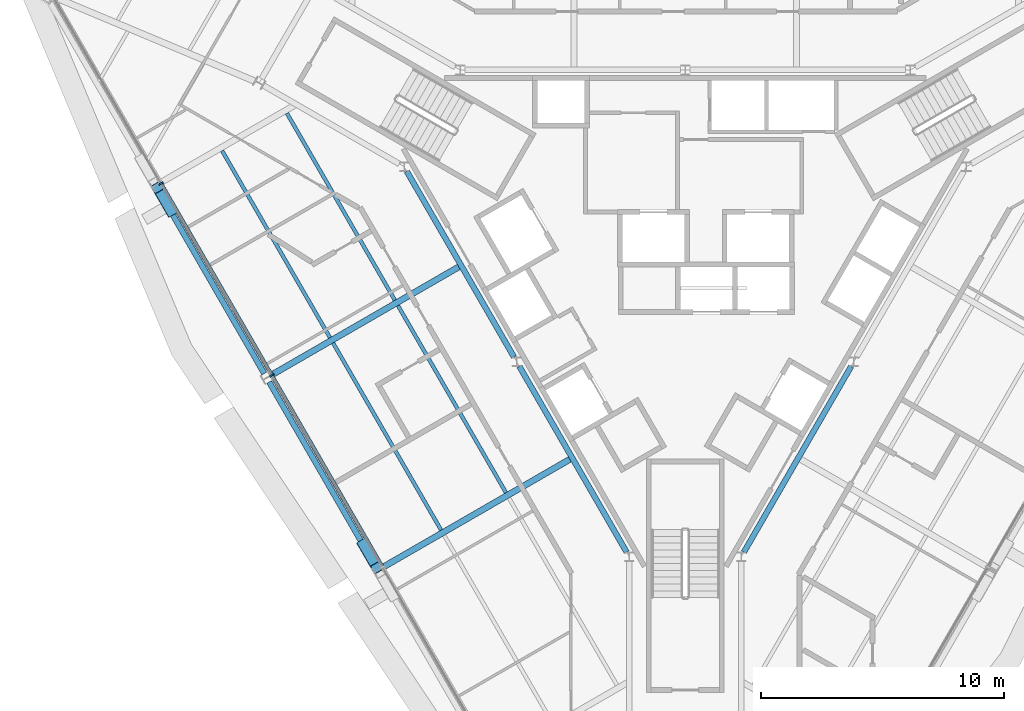
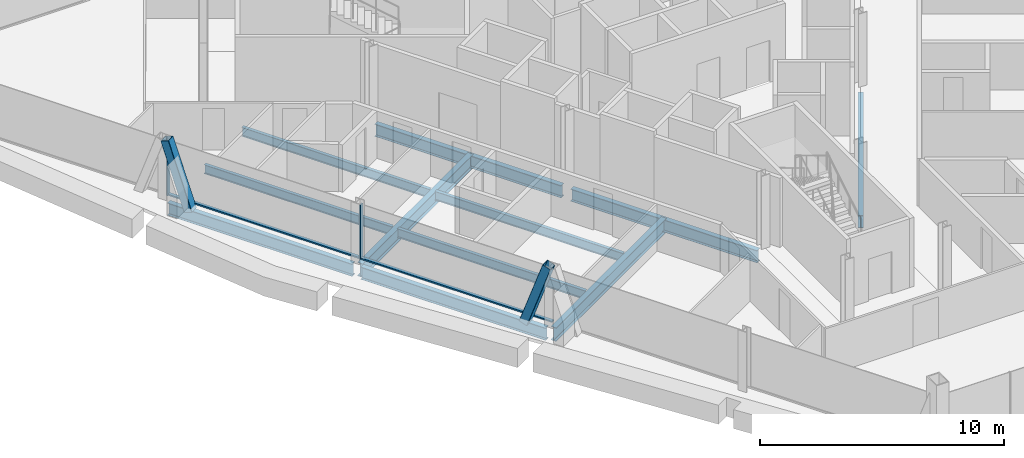
# One storey, part 4 of 15: 11 beams, 6 members, 1 element without a shape of its own.
"""IFC4 building model written with IfcOpenShell, lengths in metres."""

from ifc_helpers import new_model, si_unit, direction, frame, origin, origin_2d, place, context, subcontext, project, spatial, rectangle, hollow_rectangle, i_section, extrude, material, material_profile, profile_set, type_object, element, aggregate, save


model = new_model("IFC4")

# Units and contexts
model_context = context("Model", 3, precision=1e-05, world=origin(), true_north=direction((0.0, 1.0)))
body_context = subcontext(model_context, "Body", "Model", "MODEL_VIEW")
ifc_project = project(units=[si_unit("LENGTHUNIT", "METRE"), si_unit("AREAUNIT", "SQUARE_METRE"), si_unit("VOLUMEUNIT", "CUBIC_METRE"), si_unit("PLANEANGLEUNIT", "RADIAN"), si_unit("MASSUNIT", "GRAM", prefix="KILO")], contexts=[model_context])

# Site, building, storey
site_placement = place(None, origin())
site = spatial("IfcSite", under=ifc_project, at=site_placement, CompositionType="ELEMENT")
building_placement = place(site_placement, origin())
building = spatial("IfcBuilding", under=site, at=building_placement, Name="Verrane Prism Tower", CompositionType="ELEMENT")
storey_placement = place(building_placement, frame((0.0, 0.0, 254.5)))
storey = spatial("IfcBuildingStorey", under=building, at=storey_placement, Name="L64", CompositionType="ELEMENT", Elevation=254.5)

# Beams
ifc_material_1 = material(Name="Steel A992", Category="steel")
ifc_material_profile_1 = material_profile(ifc_material_1, i_section(OverallWidth=0.23046875, OverallDepth=0.6171875, WebThickness=0.01318359375, FlangeThickness=0.022216796875, FilletRadius=0.012939453125, at=origin_2d()), Name="W24x94")
ifc_profile_set_1 = profile_set([ifc_material_profile_1], Name="Steel A992")
beam_type_1 = type_object("IfcBeamType", Name="Core ring girder W24x94", PredefinedType="BEAM", material=ifc_profile_set_1)
beam_1_placement = place(storey_placement, frame((-11.448486328125, 3.826904296875, -0.55859375), z_axis=(0.499967007444, -0.866044451208, 0.0), x_axis=(0.866044451208, 0.499967007444, 0.0)))
element("IfcBeam", 1, at=beam_1_placement, inside=storey, type_object=beam_type_1, Name="Core ring girder L64", PredefinedType="BEAM", context=body_context, shape_type="SweptSolid", body=[
    extrude(i_section(OverallWidth=0.23046875, OverallDepth=0.6171875, WebThickness=0.01318359375, FlangeThickness=0.022216796875, FilletRadius=0.012939453125, at=origin_2d()), origin(), (0.0, 0.0, 1.0), 8.814453125),
])
for number, where, z_axis, x_axis, name in (
    (2, (-6.818603515625, -4.193115234375, -0.55859375), (0.499987781028, -0.866032458297, 0.0), (0.866032458297, 0.499987781028, 0.0), "Core ring girder L64"),
    (3, (2.411376953125, -11.826904296875, -0.55859375), (0.499987781028, 0.866032458297, 0.0), (-0.866032458297, 0.499987781028, 0.0), "Core ring girder L64"),
):
    element("IfcBeam", number, at=place(storey_placement, frame(where, z_axis=z_axis, x_axis=x_axis)), inside=storey, type_object=beam_type_1, Name=name, PredefinedType="BEAM", context=body_context, shape_type="SweptSolid", body=[
        extrude(i_section(OverallWidth=0.23046875, OverallDepth=0.6171875, WebThickness=0.01318359375, FlangeThickness=0.022216796875, FilletRadius=0.012939453125, at=origin_2d()), origin(), (0.0, 0.0, 1.0), 8.814697265625),
    ])

# Members
ifc_material_2 = material(Name="Steel A500 Grade C", Category="steel")
ifc_material_profile_2 = material_profile(ifc_material_2, hollow_rectangle(XDim=0.406494140625, YDim=0.406494140625, WallThickness=0.01904296875, InnerFilletRadius=0.009521484375, OuterFilletRadius=0.028564453125, at=origin_2d()), Name="HSS16x16x3/4")
ifc_profile_set_2 = profile_set([ifc_material_profile_2], Name="Steel A500 Grade C")
member_type_1 = type_object("IfcMemberType", Name="Facade brace HSS16x16x3/4", PredefinedType="BRACE", material=ifc_profile_set_2)
for number, where, z_axis, x_axis, name in (
    (4, (-21.16259765625, 2.1962890625, -0.216796875), (-0.164951648467, 0.285278696383, 0.944143537317), (-0.865702085619, -0.500559585819, 0.0), "Facade brace SW1 L64"),
    (5, (-13.248779296875, -11.51611328125, -0.216796875), (0.165173287668, -0.285068810076, 0.94416818341), (0.865250597391, 0.501339609162, 0.0), "Facade brace SW2 L64"),
):
    element("IfcMember", number, at=place(storey_placement, frame(where, z_axis=z_axis, x_axis=x_axis)), inside=storey, type_object=member_type_1, Name=name, PredefinedType="BRACE", context=body_context, shape_type="SweptSolid", body=[
        extrude(hollow_rectangle(XDim=0.406494140625, YDim=0.406494140625, WallThickness=0.01904296875, InnerFilletRadius=0.009521484375, OuterFilletRadius=0.028564453125, at=origin_2d()), origin(), (0.0, 0.0, 1.0), 3.3701171875),
    ])

# Beams
ifc_material_3 = material(Name="Steel A992", Category="steel")
ifc_material_profile_3 = material_profile(ifc_material_3, i_section(OverallWidth=0.15234375, OverallDepth=0.449462890625, WebThickness=0.007568359375, FlangeThickness=0.0107421875, FilletRadius=0.01025390625, at=origin_2d()), Name="W18x35")
ifc_profile_set_3 = profile_set([ifc_material_profile_3], Name="Steel A992")
beam_type_2 = type_object("IfcBeamType", Name="Floor beam W18x35", PredefinedType="BEAM", material=ifc_profile_set_3)
beam_2_placement = place(storey_placement, frame((-11.940185546875, -1.469970703125, -0.384765625), z_axis=(-0.500000279077, 0.866025242659, 0.0), x_axis=(-0.866025242659, -0.500000279077, 0.0)))
element("IfcBeam", 6, at=beam_2_placement, inside=storey, type_object=beam_type_2, Name="Floor beam L64", PredefinedType="BEAM", context=body_context, shape_type="SweptSolid", body=[
    extrude(i_section(OverallWidth=0.15234375, OverallDepth=0.449462890625, WebThickness=0.007568359375, FlangeThickness=0.0107421875, FilletRadius=0.01025390625, at=origin_2d()), origin(), (0.0, 0.0, 1.0), 8.87451171875),
])
beam_3_placement = place(storey_placement, frame((-14.606689453125, -3.010009765625, -0.384765625), z_axis=(-0.500005807019, 0.866022051074, 0.0), x_axis=(-0.866022051074, -0.500005807019, 0.0)))
element("IfcBeam", 7, at=beam_3_placement, inside=storey, type_object=beam_type_2, Name="Floor beam L64", PredefinedType="BEAM", context=body_context, shape_type="SweptSolid", body=[
    extrude(i_section(OverallWidth=0.15234375, OverallDepth=0.449462890625, WebThickness=0.007568359375, FlangeThickness=0.0107421875, FilletRadius=0.01025390625, at=origin_2d()), origin(), (0.0, 0.0, 1.0), 8.87548828125),
])
beam_4_placement = place(storey_placement, frame((-7.371337890625, -9.383544921875, -0.384765625), z_axis=(-0.499999195485, 0.866025868271, 0.0), x_axis=(-0.866025868271, -0.499999195485, 0.0)))
element("IfcBeam", 8, at=beam_4_placement, inside=storey, type_object=beam_type_2, Name="Floor beam L64", PredefinedType="BEAM", context=body_context, shape_type="SweptSolid", body=[
    extrude(i_section(OverallWidth=0.15234375, OverallDepth=0.449462890625, WebThickness=0.007568359375, FlangeThickness=0.0107421875, FilletRadius=0.01025390625, at=origin_2d()), origin(), (0.0, 0.0, 1.0), 8.8837890625),
])
beam_5_placement = place(storey_placement, frame((-10.03857421875, -10.92236328125, -0.384765625), z_axis=(-0.499996860793, 0.866027216199, 0.0), x_axis=(-0.866027216199, -0.499996860793, 0.0)))
element("IfcBeam", 9, at=beam_5_placement, inside=storey, type_object=beam_type_2, Name="Floor beam L64", PredefinedType="BEAM", context=body_context, shape_type="SweptSolid", body=[
    extrude(i_section(OverallWidth=0.15234375, OverallDepth=0.449462890625, WebThickness=0.007568359375, FlangeThickness=0.0107421875, FilletRadius=0.01025390625, at=origin_2d()), origin(), (0.0, 0.0, 1.0), 8.88232421875),
])

# Curtain wall, members
ifc_material_4 = material(Name="Aluminium framed insulated glazing", Category="aluminium")
curtain_wall_type = type_object("IfcCurtainWallType", Name="Curtain wall CW-A 8400 module", PredefinedType="NOTDEFINED", material=ifc_material_4)
curtain_wall_placement = place(storey_placement, origin())
curtain_wall = element("IfcCurtainWall", 10, at=curtain_wall_placement, inside=storey, type_object=curtain_wall_type, Name="Glazed curtain wall south-west face L64", PredefinedType="NOTDEFINED")
ifc_material_5 = material(Name="Aluminium alloy 6063-T6", Category="aluminium")
ifc_material_profile_4 = material_profile(ifc_material_5, rectangle(XDim=0.199951171875, YDim=0.070068359375, at=origin_2d()), Name="Mullion 70x200 aluminium")
ifc_profile_set_4 = profile_set([ifc_material_profile_4], Name="Aluminium alloy 6063-T6")
member_type_2 = type_object("IfcMemberType", Name="Mullion 70x200 aluminium", PredefinedType="MULLION", material=ifc_profile_set_4)
member_1_placement = place(storey_placement, frame((-21.55322265625, 3.32763671875, 0.0), z_axis=(0.0, 0.0, 1.0), x_axis=(0.866025525748, 0.499999788753, 0.0)))
member_1 = element("IfcMember", 11, at=member_1_placement, type_object=member_type_2, Name="CW62.4 mullion 2", PredefinedType="MULLION", context=body_context, shape_type="SweptSolid", body=[
    extrude(rectangle(XDim=0.199951171875, YDim=0.070068359375, at=origin_2d()), origin(), (0.0, 0.0, 1.0), 2.712890625),
])
member_2_placement = place(storey_placement, frame((-17.000244140625, -4.55810546875, 0.0), z_axis=(0.0, 0.0, 1.0), x_axis=(0.866025525748, 0.499999788753, 0.0)))
member_2 = element("IfcMember", 12, at=member_2_placement, type_object=member_type_2, Name="CW62.4 mullion 3", PredefinedType="MULLION", context=body_context, shape_type="SweptSolid", body=[
    extrude(rectangle(XDim=0.199951171875, YDim=0.070068359375, at=origin_2d()), origin(), (0.0, 0.0, 1.0), 2.712890625),
])

# Beams
ifc_material_6 = material(Name="Steel A992", Category="steel")
ifc_material_profile_5 = material_profile(ifc_material_6, i_section(OverallWidth=0.25390625, OverallDepth=0.683349609375, WebThickness=0.012451171875, FlangeThickness=0.01904296875, FilletRadius=0.01513671875, at=origin_2d()), Name="W27x94")
ifc_profile_set_5 = profile_set([ifc_material_profile_5], Name="Steel A992")
beam_type_3 = type_object("IfcBeamType", Name="Radial girder W27x94", PredefinedType="BEAM", material=ifc_profile_set_5)
beam_6_placement = place(storey_placement, frame((-17.042724609375, -4.5634765625, -0.5615234375), z_axis=(0.866029072754, 0.499993645104, 0.0), x_axis=(-0.499993645104, 0.866029072754, 0.0)))
element("IfcBeam", 13, at=beam_6_placement, inside=storey, type_object=beam_type_3, Name="Radial girder L64", PredefinedType="BEAM", context=body_context, shape_type="SweptSolid", body=[
    extrude(i_section(OverallWidth=0.25390625, OverallDepth=0.683349609375, WebThickness=0.012451171875, FlangeThickness=0.01904296875, FilletRadius=0.01513671875, at=origin_2d()), origin(), (0.0, 0.0, 1.0), 9.03955078125),
])
beam_7_placement = place(storey_placement, frame((-12.472900390625, -12.473388671875, -0.5615234375), z_axis=(0.866031723512, 0.499989053751, 0.0), x_axis=(-0.499989053751, 0.866031723512, 0.0)))
element("IfcBeam", 14, at=beam_7_placement, inside=storey, type_object=beam_type_3, Name="Radial girder L64", PredefinedType="BEAM", context=body_context, shape_type="SweptSolid", body=[
    extrude(i_section(OverallWidth=0.25390625, OverallDepth=0.683349609375, WebThickness=0.012451171875, FlangeThickness=0.01904296875, FilletRadius=0.01513671875, at=origin_2d()), origin(), (0.0, 0.0, 1.0), 9.036865234375),
])
ifc_material_7 = material(Name="Steel A992", Category="steel")
ifc_material_profile_6 = material_profile(ifc_material_7, i_section(OverallWidth=0.23046875, OverallDepth=0.6171875, WebThickness=0.01318359375, FlangeThickness=0.022216796875, FilletRadius=0.012939453125, at=origin_2d()), Name="W24x94")
ifc_profile_set_6 = profile_set([ifc_material_profile_6], Name="Steel A992")
beam_type_4 = type_object("IfcBeamType", Name="Spandrel beam W24x94", PredefinedType="SPANDREL", material=ifc_profile_set_6)
beam_8_placement = place(storey_placement, frame((-21.67041015625, 3.077392578125, -0.468505859375), z_axis=(0.499429538444, -0.866354509499, 0.0), x_axis=(0.866354509499, 0.499429538444, 0.0)))
element("IfcBeam", 15, at=beam_8_placement, inside=storey, type_object=beam_type_4, Name="Spandrel beam L64", PredefinedType="SPANDREL", context=body_context, shape_type="SweptSolid", body=[
    extrude(i_section(OverallWidth=0.23046875, OverallDepth=0.6171875, WebThickness=0.01318359375, FlangeThickness=0.022216796875, FilletRadius=0.012939453125, at=origin_2d()), origin(), (0.0, 0.0, 1.0), 8.731689453125),
])
beam_9_placement = place(storey_placement, frame((-17.1103515625, -4.83251953125, -0.468505859375), z_axis=(0.500256181805, -0.865877446621, 0.0), x_axis=(0.865877446621, 0.500256181805, 0.0)))
element("IfcBeam", 16, at=beam_9_placement, inside=storey, type_object=beam_type_4, Name="Spandrel beam L64", PredefinedType="SPANDREL", context=body_context, shape_type="SweptSolid", body=[
    extrude(i_section(OverallWidth=0.23046875, OverallDepth=0.6171875, WebThickness=0.01318359375, FlangeThickness=0.022216796875, FilletRadius=0.012939453125, at=origin_2d()), origin(), (0.0, 0.0, 1.0), 8.73681640625),
])

# Member
ifc_material_8 = material(Name="Aluminium alloy 6063-T6", Category="aluminium")
ifc_material_profile_7 = material_profile(ifc_material_8, rectangle(XDim=0.14990234375, YDim=0.070068359375, at=origin_2d()), Name="Transom 70x150 aluminium")
ifc_profile_set_7 = profile_set([ifc_material_profile_7], Name="Aluminium alloy 6063-T6")
member_type_3 = type_object("IfcMemberType", Name="Transom 70x150 aluminium", PredefinedType="USERDEFINED", material=ifc_profile_set_7)
member_3_placement = place(storey_placement, frame((-21.53564453125, 3.29736328125, 0.034912109375), z_axis=(0.499995322353, -0.866028104408, 0.0), x_axis=(0.866028104408, 0.499995322353, 0.0)))
member_3 = element("IfcMember", 17, at=member_3_placement, type_object=member_type_3, Name="CW62.4 transom 2", ObjectType="TRANSOM", PredefinedType="USERDEFINED", context=body_context, shape_type="SweptSolid", body=[
    extrude(rectangle(XDim=0.14990234375, YDim=0.070068359375, at=origin_2d()), origin(), (0.0, 0.0, 1.0), 9.03564453125),
])

member_4_placement = place(storey_placement, frame((-16.98291015625, -4.58837890625, 0.034912109375), z_axis=(0.500007022283, -0.866021349429, 0.0), x_axis=(0.866021349429, 0.500007022283, 0.0)))
member_4 = element("IfcMember", 18, at=member_4_placement, type_object=member_type_3, Name="CW62.4 transom 3", ObjectType="TRANSOM", PredefinedType="USERDEFINED", context=body_context, shape_type="SweptSolid", body=[
    extrude(rectangle(XDim=0.14990234375, YDim=0.070068359375, at=origin_2d()), origin(), (0.0, 0.0, 1.0), 9.035400390625),
])

aggregate(curtain_wall, [member_1, member_2, member_3, member_4])

save(model, "model.ifc")
